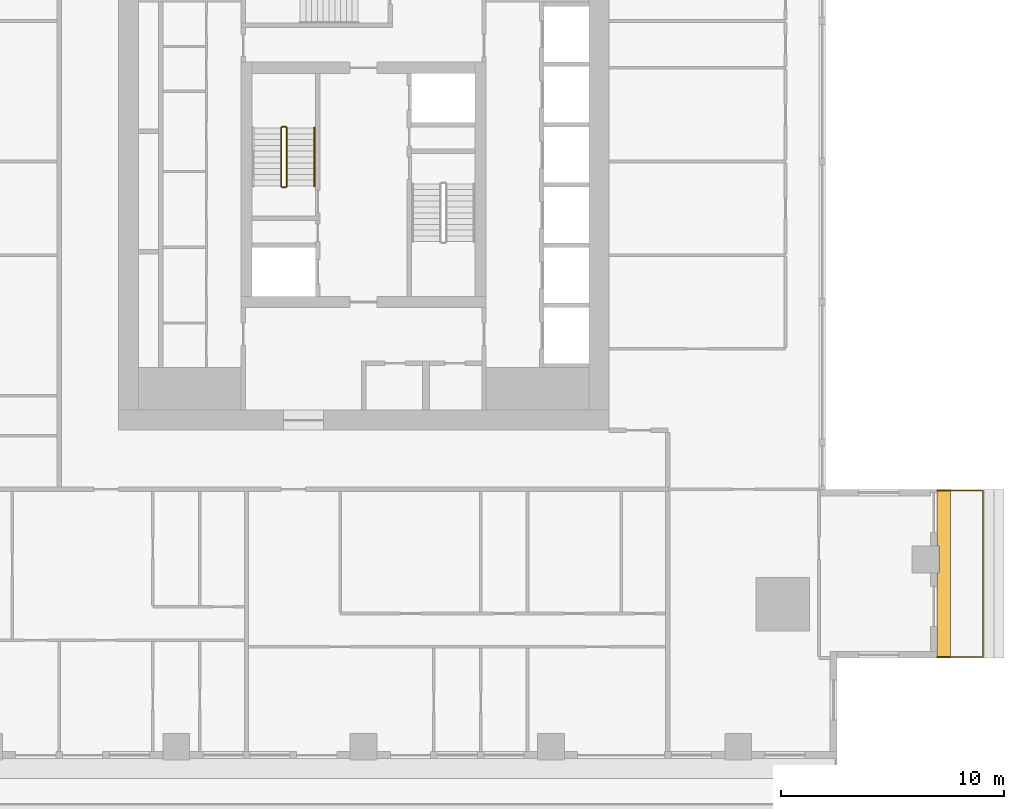
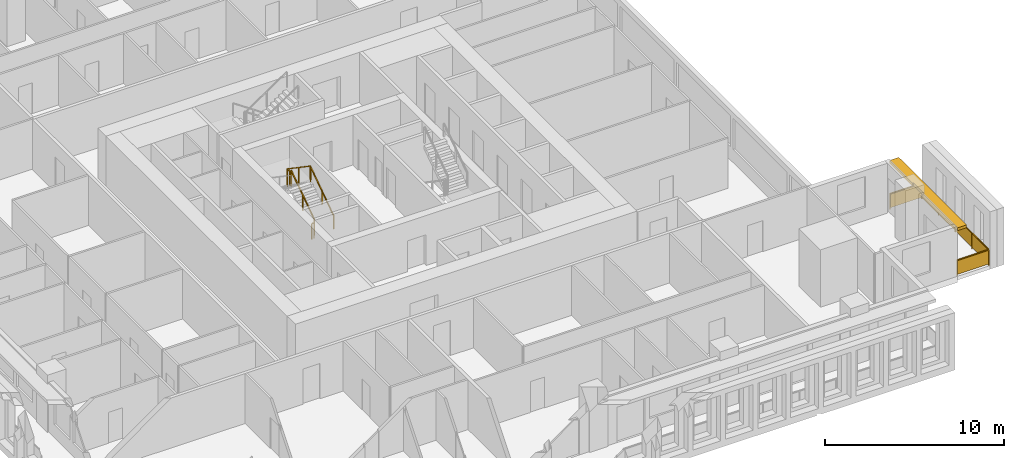
# One storey, part 12 of 15: 6 railings, 1 shading device.
"""IFC4 building model written with IfcOpenShell, lengths in metres."""

from ifc_helpers import new_model, si_unit, direction, frame, origin, origin_2d, place, context, subcontext, project, spatial, polyline, rectangle, outline, extrude, material, layer, layer_set, type_object, element, save


model = new_model("IFC4")

# Units and contexts
model_context = context("Model", 3, precision=1e-05, world=origin(), true_north=direction((0.0, 1.0)))
body_context = subcontext(model_context, "Body", "Model", "MODEL_VIEW")
ifc_project = project(units=[si_unit("LENGTHUNIT", "METRE"), si_unit("AREAUNIT", "SQUARE_METRE"), si_unit("VOLUMEUNIT", "CUBIC_METRE"), si_unit("PLANEANGLEUNIT", "RADIAN"), si_unit("MASSUNIT", "GRAM", prefix="KILO")], contexts=[model_context])

# Site, building, storey
site_placement = place(None, origin())
site = spatial("IfcSite", under=ifc_project, at=site_placement, CompositionType="ELEMENT")
building_placement = place(site_placement, origin())
building = spatial("IfcBuilding", under=site, at=building_placement, Name="Khepri Terraces", CompositionType="ELEMENT")
storey_placement = place(building_placement, frame((0.0, 0.0, 231.300048828125)))
storey = spatial("IfcBuildingStorey", under=building, at=storey_placement, Name="L55", CompositionType="ELEMENT", Elevation=231.300048828125)

# Railings
ifc_material_1 = material(Name="Stainless steel grade 316", Category="steel")
railing_type_1 = type_object("IfcRailingType", Name="GRD-BAL-1100", PredefinedType="GUARDRAIL", material=ifc_material_1)
railing_1_placement = place(storey_placement, frame((25.719970703125, -21.169921875, 0.0)))
element("IfcRailing", 1, at=railing_1_placement, inside=storey, type_object=railing_type_1, Name="Balcony guard L55 E", PredefinedType="GUARDRAIL", context=body_context, shape_type="SweptSolid", body=[
    extrude(rectangle(XDim=0.050048828125, YDim=0.06005859375, at=origin_2d()), frame((0.0, 0.0, 1.070068359375), z_axis=(1.0, 0.0, 0.0), x_axis=(0.0, 1.0, 0.0)), (0.0, 0.0, 1.0), 2.050048828125),
    extrude(rectangle(XDim=2.0, YDim=0.011962890625, at=origin_2d()), frame((1.02490234375, 0.0, 0.10009765625), z_axis=(0.0, 0.0, 1.0), x_axis=(1.0, 0.0, 0.0)), (0.0, 0.0, 1.0), 0.93994140625),
    extrude(rectangle(XDim=0.050048828125, YDim=0.06005859375, at=origin_2d()), frame((2.050048828125, 0.0, 1.070068359375), z_axis=(0.0, 1.0, 0.0), x_axis=(-1.0, 0.0, 0.0)), (0.0, 0.0, 1.0), 7.469970703125),
    extrude(rectangle(XDim=1.8173828125, YDim=0.011962890625, at=origin_2d()), frame((2.050048828125, 0.933837890625, 0.10009765625), z_axis=(0.0, 0.0, 1.0), x_axis=(0.0, 1.0, 0.0)), (0.0, 0.0, 1.0), 0.93994140625),
    extrude(rectangle(XDim=1.8173828125, YDim=0.011962890625, at=origin_2d()), frame((2.050048828125, 2.80126953125, 0.10009765625), z_axis=(0.0, 0.0, 1.0), x_axis=(0.0, 1.0, 0.0)), (0.0, 0.0, 1.0), 0.93994140625),
    extrude(rectangle(XDim=1.8173828125, YDim=0.011962890625, at=origin_2d()), frame((2.050048828125, 4.668701171875, 0.10009765625), z_axis=(0.0, 0.0, 1.0), x_axis=(0.0, 1.0, 0.0)), (0.0, 0.0, 1.0), 0.93994140625),
    extrude(rectangle(XDim=1.8173828125, YDim=0.011962890625, at=origin_2d()), frame((2.050048828125, 6.5361328125, 0.10009765625), z_axis=(0.0, 0.0, 1.0), x_axis=(0.0, 1.0, 0.0)), (0.0, 0.0, 1.0), 0.93994140625),
    extrude(rectangle(XDim=0.050048828125, YDim=0.06005859375, at=origin_2d()), frame((2.050048828125, 7.469970703125, 1.070068359375), z_axis=(-1.0, 0.0, 0.0), x_axis=(0.0, -1.0, 0.0)), (0.0, 0.0, 1.0), 2.050048828125),
    extrude(rectangle(XDim=2.0, YDim=0.011962890625, at=origin_2d()), frame((1.02490234375, 7.469970703125, 0.10009765625), z_axis=(0.0, 0.0, 1.0), x_axis=(-1.0, 0.0, 0.0)), (0.0, 0.0, 1.0), 0.93994140625),
    extrude(rectangle(XDim=0.050048828125, YDim=0.050048828125, at=origin_2d()), origin(), (0.0, 0.0, 1.0), 1.0400390625),
    extrude(rectangle(XDim=0.050048828125, YDim=0.050048828125, at=origin_2d()), frame((2.050048828125, 0.0, 0.0)), (0.0, 0.0, 1.0), 1.0400390625),
    extrude(rectangle(XDim=0.050048828125, YDim=0.050048828125, at=origin_2d()), frame((2.050048828125, 1.867431640625, 0.0)), (0.0, 0.0, 1.0), 1.0400390625),
    extrude(rectangle(XDim=0.050048828125, YDim=0.050048828125, at=origin_2d()), frame((2.050048828125, 3.73486328125, 0.0)), (0.0, 0.0, 1.0), 1.0400390625),
    extrude(rectangle(XDim=0.050048828125, YDim=0.050048828125, at=origin_2d()), frame((2.050048828125, 5.6025390625, 0.0)), (0.0, 0.0, 1.0), 1.0400390625),
    extrude(rectangle(XDim=0.050048828125, YDim=0.050048828125, at=origin_2d()), frame((2.050048828125, 7.469970703125, 0.0)), (0.0, 0.0, 1.0), 1.0400390625),
    extrude(rectangle(XDim=0.050048828125, YDim=0.050048828125, at=origin_2d()), frame((0.0, 7.469970703125, 0.0)), (0.0, 0.0, 1.0), 1.0400390625),
])
ifc_material_2 = material(Name="Stainless steel 316", Category="steel")
railing_type_2 = type_object("IfcRailingType", Name="RL-CORE-GUARD", PredefinedType="GUARDRAIL", material=ifc_material_2)
railing_2_placement = place(storey_placement, frame((-3.449951171875, -0.050048828125, 0.17724609375)))
element("IfcRailing", 2, at=railing_2_placement, inside=storey, type_object=railing_type_2, Name="L55 ST-1 stair guard 1", PredefinedType="GUARDRAIL", context=body_context, shape_type="SweptSolid", body=[
    extrude(rectangle(XDim=0.050048828125, YDim=0.06005859375, at=origin_2d()), frame((0.0, 0.0, 1.070068359375), z_axis=(0.0, 0.826240473404, 0.563317565952), x_axis=(-1.0, 0.0, 0.0)), (0.0, 0.0, 1.0), 3.14697265625),
    extrude(rectangle(XDim=0.050048828125, YDim=0.050048828125, at=origin_2d()), origin(), (0.0, 0.0, 1.0), 1.0400390625),
    extrude(rectangle(XDim=0.050048828125, YDim=0.050048828125, at=origin_2d()), frame((0.0, 1.300048828125, 0.88623046875)), (0.0, 0.0, 1.0), 1.0400390625),
    extrude(rectangle(XDim=0.050048828125, YDim=0.050048828125, at=origin_2d()), frame((0.0, 2.60009765625, 1.772705078125)), (0.0, 0.0, 1.0), 1.0400390625),
])
railing_3_placement = place(storey_placement, frame((-3.5, 2.60009765625, 1.949951171875)))
element("IfcRailing", 3, at=railing_3_placement, inside=storey, type_object=railing_type_2, Name="L55 ST-1 stair guard 2", PredefinedType="GUARDRAIL", context=body_context, shape_type="SweptSolid", body=[
    extrude(rectangle(XDim=0.050048828125, YDim=0.06005859375, at=origin_2d()), frame((0.0, 0.0, 1.070068359375), z_axis=(-1.0, 0.0, 0.0), x_axis=(0.0, -1.0, 0.0)), (0.0, 0.0, 1.0), 0.14990234375),
    extrude(rectangle(XDim=0.050048828125, YDim=0.050048828125, at=origin_2d()), origin(), (0.0, 0.0, 1.0), 1.0400390625),
    extrude(rectangle(XDim=0.050048828125, YDim=0.050048828125, at=origin_2d()), frame((-0.14990234375, 0.0, 0.0)), (0.0, 0.0, 1.0), 1.0400390625),
])
railing_4_placement = place(storey_placement, frame((-3.699951171875, 2.550048828125, 2.127197265625)))
element("IfcRailing", 4, at=railing_4_placement, inside=storey, type_object=railing_type_2, Name="L55 ST-1 stair guard 3", PredefinedType="GUARDRAIL", context=body_context, shape_type="SweptSolid", body=[
    extrude(rectangle(XDim=0.050048828125, YDim=0.06005859375, at=origin_2d()), frame((0.0, 0.0, 1.070068359375), z_axis=(0.0, -0.826240473404, 0.563317565952), x_axis=(1.0, 0.0, 0.0)), (0.0, 0.0, 1.0), 3.14697265625),
    extrude(rectangle(XDim=0.050048828125, YDim=0.050048828125, at=origin_2d()), origin(), (0.0, 0.0, 1.0), 1.0400390625),
    extrude(rectangle(XDim=0.050048828125, YDim=0.050048828125, at=origin_2d()), frame((0.0, -1.300048828125, 0.88623046875)), (0.0, 0.0, 1.0), 1.0400390625),
    extrude(rectangle(XDim=0.050048828125, YDim=0.050048828125, at=origin_2d()), frame((0.0, -2.60009765625, 1.772705078125)), (0.0, 0.0, 1.0), 1.0400390625),
])
railing_5_placement = place(storey_placement, frame((-3.5, -0.10009765625, 0.0)))
element("IfcRailing", 5, at=railing_5_placement, inside=storey, type_object=railing_type_2, Name="L55 ST-1 stair guard 4", PredefinedType="GUARDRAIL", context=body_context, shape_type="SweptSolid", body=[
    extrude(rectangle(XDim=0.050048828125, YDim=0.06005859375, at=origin_2d()), frame((0.0, 0.0, 1.070068359375), z_axis=(-1.0, 0.0, 0.0), x_axis=(0.0, -1.0, 0.0)), (0.0, 0.0, 1.0), 0.14990234375),
    extrude(rectangle(XDim=0.050048828125, YDim=0.050048828125, at=origin_2d()), origin(), (0.0, 0.0, 1.0), 1.0400390625),
    extrude(rectangle(XDim=0.050048828125, YDim=0.050048828125, at=origin_2d()), frame((-0.14990234375, 0.0, 0.0)), (0.0, 0.0, 1.0), 1.0400390625),
])
railing_type_3 = type_object("IfcRailingType", Name="RL-CORE-HANDRAIL", PredefinedType="HANDRAIL", material=ifc_material_2)
railing_6_placement = place(storey_placement, frame((-2.199951171875, -0.050048828125, 0.17724609375)))
element("IfcRailing", 6, at=railing_6_placement, inside=storey, type_object=railing_type_3, Name="L55 ST-1 stair handrail 1", PredefinedType="HANDRAIL", context=body_context, shape_type="SweptSolid", body=[
    extrude(rectangle(XDim=0.050048828125, YDim=0.050048828125, at=origin_2d()), frame((0.0, 0.0, 0.875), z_axis=(0.0, 0.826240473404, 0.563317565952), x_axis=(-1.0, 0.0, 0.0)), (0.0, 0.0, 1.0), 3.14697265625),
    extrude(rectangle(XDim=0.050048828125, YDim=0.050048828125, at=origin_2d()), origin(), (0.0, 0.0, 1.0), 0.849853515625),
    extrude(rectangle(XDim=0.050048828125, YDim=0.050048828125, at=origin_2d()), frame((0.0, 1.300048828125, 0.88623046875)), (0.0, 0.0, 1.0), 0.849853515625),
    extrude(rectangle(XDim=0.050048828125, YDim=0.050048828125, at=origin_2d()), frame((0.0, 2.60009765625, 1.772705078125)), (0.0, 0.0, 1.0), 0.849853515625),
])

# Shading device
ifc_material_3 = material(Name="Precast concrete C50/60 warm stone", Category="masonry")
ifc_layer = layer(ifc_material_3, 0.199951171875, Name="Precast concrete C50/60 warm stone", Category="masonry")
ifc_layer_set = layer_set([ifc_layer], Name="Precast concrete C50/60 warm stone")
shading_device_type = type_object("IfcShadingDeviceType", Name="SSH-BAND-STONE-200-N", PredefinedType="USERDEFINED", material=ifc_layer_set)
shading_device_placement = place(storey_placement, frame((0.0, 0.0, 3.099853515625)))
element("IfcShadingDevice", 7, at=shading_device_placement, inside=storey, type_object=shading_device_type, Name="Sunshade band L55 E", ObjectType="SUNSHADE", PredefinedType="USERDEFINED", context=body_context, shape_type="SweptSolid", body=[
    extrude(outline(polyline([(25.719970703125, -17.39990234375), (25.719970703125, -21.219970703125), (26.320068359375, -21.219970703125), (26.320068359375, -13.64990234375), (25.719970703125, -13.64990234375), (25.719970703125, -16.199951171875), (25.800048828125, -16.199951171875), (25.800048828125, -17.39990234375), (25.719970703125, -17.39990234375)])), origin(), (0.0, 0.0, 1.0), 0.2001953125),
])

save(model, "model.ifc")
